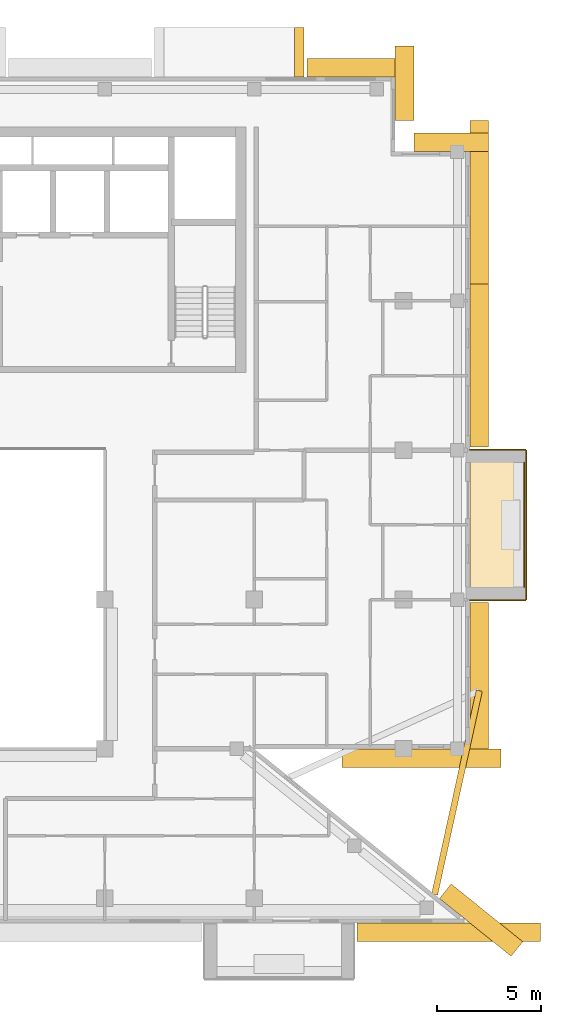
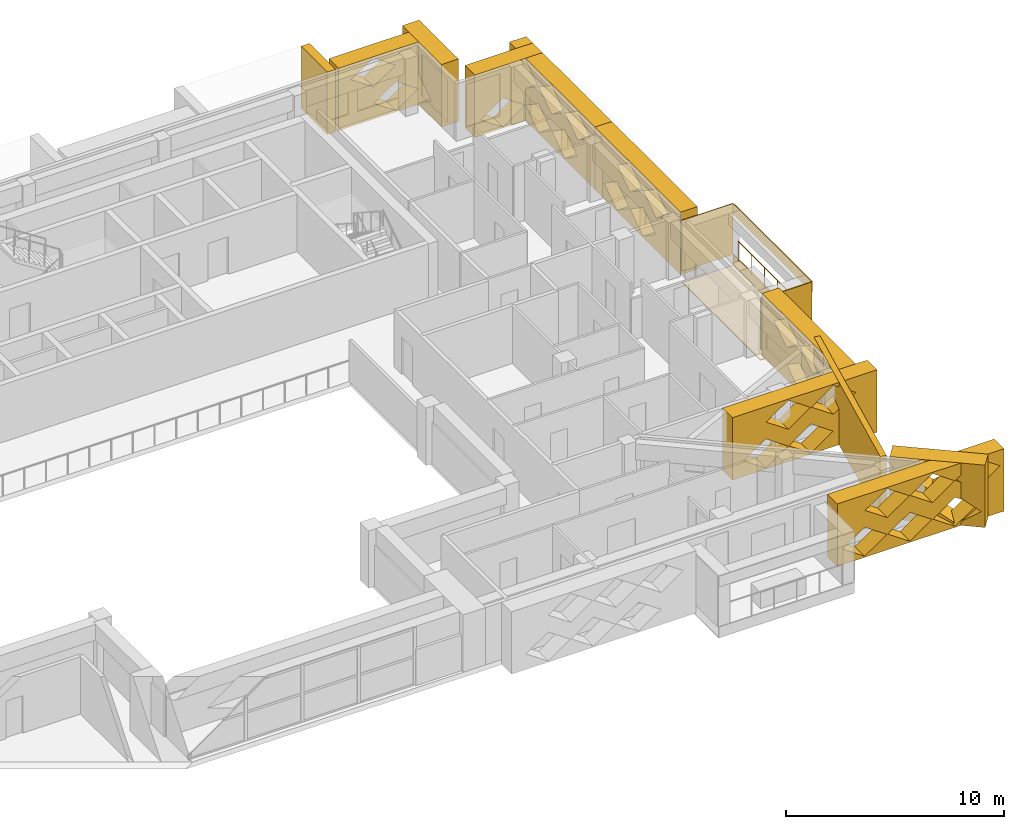
# One storey, part 19 of 19: 16 coverings, 1 railing.
"""IFC4 building model written with IfcOpenShell, lengths in metres."""

from ifc_helpers import new_model, si_unit, direction, frame, origin, origin_2d, place, context, subcontext, project, spatial, polyline, circle, outline, extrude, material, layer, layer_set, type_object, element, save


model = new_model("IFC4")

# Units and contexts
model_context = context("Model", 3, precision=1e-05, world=origin(), true_north=direction((0.0, 1.0)))
body_context = subcontext(model_context, "Body", "Model", "MODEL_VIEW")
ifc_project = project(units=[si_unit("LENGTHUNIT", "METRE"), si_unit("AREAUNIT", "SQUARE_METRE"), si_unit("VOLUMEUNIT", "CUBIC_METRE"), si_unit("PLANEANGLEUNIT", "RADIAN"), si_unit("MASSUNIT", "GRAM", prefix="KILO")], contexts=[model_context])

# Site, building, storey
site_placement = place(None, origin())
site = spatial("IfcSite", under=ifc_project, at=site_placement, CompositionType="ELEMENT")
building_placement = place(site_placement, origin())
building = spatial("IfcBuilding", under=site, at=building_placement, Name="Saffron Iwan Residences", CompositionType="ELEMENT")
storey_placement = place(building_placement, frame((0.0, 0.0, 239.5)))
storey = spatial("IfcBuildingStorey", under=building, at=storey_placement, Name="L64", CompositionType="ELEMENT", Elevation=239.5)

# Railing
ifc_material_1 = material(Name="Stainless steel 316", Category="steel")
railing_type = type_object("IfcRailingType", Name="BALCONY GUARD 1150", PredefinedType="GUARDRAIL", material=ifc_material_1)
railing_placement = place(storey_placement, frame((85.02490234375, 55.800048828125, 0.0)))
element("IfcRailing", 1, at=railing_placement, inside=storey, type_object=railing_type, Name="Balcony guard L64 F2-0", PredefinedType="GUARDRAIL", context=body_context, shape_type="SweptSolid", body=[
    extrude(circle(Radius=0.02392578125, at=origin_2d()), frame((0.0, 0.0, 1.1259765625), z_axis=(0.0, 1.0, 0.0), x_axis=(-1.0, 0.0, 0.0)), (0.0, 0.0, 1.0), 6.0),
    extrude(circle(Radius=0.02099609375, at=origin_2d()), origin(), (0.0, 0.0, 1.0), 1.101806640625),
    extrude(circle(Radius=0.02099609375, at=origin_2d()), frame((0.0, 1.199951171875, 0.0)), (0.0, 0.0, 1.0), 1.101806640625),
    extrude(circle(Radius=0.02099609375, at=origin_2d()), frame((0.0, 2.39990234375, 0.0)), (0.0, 0.0, 1.0), 1.101806640625),
    extrude(circle(Radius=0.02099609375, at=origin_2d()), frame((0.0, 3.60009765625, 0.0)), (0.0, 0.0, 1.0), 1.101806640625),
    extrude(circle(Radius=0.02099609375, at=origin_2d()), frame((0.0, 4.800048828125, 0.0)), (0.0, 0.0, 1.0), 1.101806640625),
    extrude(circle(Radius=0.02099609375, at=origin_2d()), frame((0.0, 6.0, 0.0)), (0.0, 0.0, 1.0), 1.101806640625),
])

# Coverings
ifc_material_2 = material(Name="Precast concrete C40/50 white painted", Category="concrete")
ifc_layer_1 = layer(ifc_material_2, 0.050048828125)
ifc_layer_set_1 = layer_set([ifc_layer_1], Name="Precast concrete C40/50 white painted")
covering_type_1 = type_object("IfcCoveringType", Name="FRAME SKIN PRECAST WHITE 50", PredefinedType="CLADDING", material=ifc_layer_set_1)
for number, where, name in (
    (2, (0.0, 0.0, -0.60009765625), "Frame skin slab edge L64 F2-0"),
    (3, (0.0, 0.0, 2.25), "Frame skin fascia L64 F2-0"),
):
    element("IfcCovering", number, at=place(storey_placement, frame(where)), inside=storey, type_object=covering_type_1, Name=name, PredefinedType="CLADDING", context=body_context, shape_type="SweptSolid", body=[
        extrude(outline(polyline([(85.14990234375, 55.199951171875), (85.14990234375, 62.39990234375), (85.10009765625, 62.39990234375), (85.10009765625, 55.199951171875), (85.14990234375, 55.199951171875)])), origin(), (0.0, 0.0, 1.0), 0.60009765625),
    ])
covering_1_placement = place(storey_placement, frame((0.0, 0.0, -0.64990234375)))
element("IfcCovering", 4, at=covering_1_placement, inside=storey, type_object=covering_type_1, Name="Frame skin soffit L64 F2-0", PredefinedType="CLADDING", context=body_context, shape_type="SweptSolid", body=[
    extrude(outline(polyline([(85.10009765625, 55.199951171875), (85.10009765625, 62.39990234375), (82.39990234375, 62.39990234375), (82.39990234375, 55.199951171875), (85.10009765625, 55.199951171875)])), origin(), (0.0, 0.0, 1.0), 0.0498046875),
])
covering_2_placement = place(storey_placement, origin())
element("IfcCovering", 5, at=covering_2_placement, inside=storey, type_object=covering_type_1, Name="Frame skin fin L64 F2-0a", PredefinedType="CLADDING", context=body_context, shape_type="SweptSolid", body=[
    extrude(outline(polyline([(85.10009765625, 55.14990234375), (85.10009765625, 55.199951171875), (82.39990234375, 55.199951171875), (82.39990234375, 55.14990234375), (85.10009765625, 55.14990234375)])), origin(), (0.0, 0.0, 1.0), 2.85009765625),
])
covering_3_placement = place(storey_placement, origin())
element("IfcCovering", 6, at=covering_3_placement, inside=storey, type_object=covering_type_1, Name="Frame skin fin L64 F2-0b", PredefinedType="CLADDING", context=body_context, shape_type="SweptSolid", body=[
    extrude(outline(polyline([(85.10009765625, 62.39990234375), (85.10009765625, 62.449951171875), (82.39990234375, 62.449951171875), (82.39990234375, 62.39990234375), (85.10009765625, 62.39990234375)])), origin(), (0.0, 0.0, 1.0), 2.85009765625),
])
ifc_material_3 = material(Name="Precast concrete C40/50", Category="concrete")
covering_type_2 = type_object("IfcCoveringType", Name="OUTER SKIN LATTICE SCREEN", PredefinedType="CLADDING", material=ifc_material_3)
covering_4_placement = place(storey_placement, frame((84.387939453125, 37.994384765625, -0.280029296875), z_axis=(0.628558089533, 0.777762642509, 0.0), x_axis=(-0.777762642509, 0.628558089533, 0.0)))
element("IfcCovering", 7, at=covering_4_placement, inside=storey, type_object=covering_type_2, Name="OUTER SKIN lattice screen L64 F0.0", PredefinedType="CLADDING", context=body_context, shape_type="SweptSolid", body=[
    extrude(outline(polyline([(0.0, 0.0), (4.439697265625, 0.0), (4.439697265625, 3.5), (0.0, 3.5), (0.0, 0.0)]), holes=[polyline([(0.175537109375, 0.875), (1.35546875, 0.06005859375), (2.535400390625, 0.875), (1.35546875, 1.68994140625), (0.175537109375, 0.875)]), polyline([(1.37548828125, 2.625), (2.555419921875, 1.81005859375), (3.735595703125, 2.625), (2.555419921875, 3.43994140625), (1.37548828125, 2.625)])]), origin(), (0.0, 0.0, 1.0), 0.89990234375),
])
covering_5_placement = place(storey_placement, frame((76.235595703125, 48.0, -0.280029296875), z_axis=(0.0, -1.0, 0.0), x_axis=(1.0, 0.0, 0.0)))
element("IfcCovering", 8, at=covering_5_placement, inside=storey, type_object=covering_type_2, Name="OUTER SKIN lattice screen L64 F1.0", PredefinedType="CLADDING", context=body_context, shape_type="SweptSolid", body=[
    extrude(outline(polyline([(0.0, 0.0), (7.66455078125, 0.0), (7.66455078125, 3.5), (0.0, 3.5), (0.0, 0.0)]), holes=[polyline([(0.58447265625, 0.875), (1.764404296875, 0.06005859375), (2.944580078125, 0.875), (1.764404296875, 1.68994140625), (0.58447265625, 0.875)]), polyline([(2.984619140625, 0.875), (4.16455078125, 0.06005859375), (5.344482421875, 0.875), (4.16455078125, 1.68994140625), (2.984619140625, 0.875)]), polyline([(1.784423828125, 2.625), (2.964599609375, 1.81005859375), (4.14453125, 2.625), (2.964599609375, 3.43994140625), (1.784423828125, 2.625)]), polyline([(4.1845703125, 2.625), (5.364501953125, 1.81005859375), (6.54443359375, 2.625), (5.364501953125, 3.43994140625), (4.1845703125, 2.625)])]), origin(), (0.0, 0.0, 1.0), 0.89990234375),
])
covering_6_placement = place(storey_placement, frame((82.39990234375, 47.10009765625, -0.280029296875), z_axis=(1.0, 0.0, 0.0), x_axis=(0.0, 1.0, 0.0)))
element("IfcCovering", 9, at=covering_6_placement, inside=storey, type_object=covering_type_2, Name="OUTER SKIN lattice screen L64 F2.0", PredefinedType="CLADDING", context=body_context, shape_type="SweptSolid", body=[
    extrude(outline(polyline([(0.0, 0.0), (7.949951171875, 0.0), (7.949951171875, 3.5), (0.0, 3.5), (0.0, 0.0)]), holes=[polyline([(0.919921875, 0.875), (2.10009765625, 0.06005859375), (3.280029296875, 0.875), (2.10009765625, 1.68994140625), (0.919921875, 0.875)]), polyline([(3.320068359375, 0.875), (4.5, 0.06005859375), (5.679931640625, 0.875), (4.5, 1.68994140625), (3.320068359375, 0.875)]), polyline([(2.1201171875, 2.625), (3.300048828125, 1.81005859375), (4.47998046875, 2.625), (3.300048828125, 3.43994140625), (2.1201171875, 2.625)]), polyline([(4.52001953125, 2.625), (5.699951171875, 1.81005859375), (6.8798828125, 2.625), (5.699951171875, 3.43994140625), (4.52001953125, 2.625)])]), origin(), (0.0, 0.0, 1.0), 0.900146484375),
])
covering_7_placement = place(storey_placement, frame((82.39990234375, 62.550048828125, -0.280029296875), z_axis=(1.0, 0.0, 0.0), x_axis=(0.0, 1.0, 0.0)))
element("IfcCovering", 10, at=covering_7_placement, inside=storey, type_object=covering_type_2, Name="OUTER SKIN lattice screen L64 F2.1", PredefinedType="CLADDING", context=body_context, shape_type="SweptSolid", body=[
    extrude(outline(polyline([(0.0, 0.0), (7.875, 0.0), (7.875, 3.5), (0.0, 3.5), (0.0, 0.0)]), holes=[polyline([(2.27001953125, 0.875), (3.449951171875, 0.06005859375), (4.6298828125, 0.875), (3.449951171875, 1.68994140625), (2.27001953125, 0.875)]), polyline([(4.669921875, 0.875), (5.85009765625, 0.06005859375), (7.030029296875, 0.875), (5.85009765625, 1.68994140625), (4.669921875, 0.875)]), polyline([(1.070068359375, 2.625), (2.25, 1.81005859375), (3.429931640625, 2.625), (2.25, 3.43994140625), (1.070068359375, 2.625)]), polyline([(3.469970703125, 2.625), (4.64990234375, 1.81005859375), (5.830078125, 2.625), (4.64990234375, 3.43994140625), (3.469970703125, 2.625)])]), origin(), (0.0, 0.0, 1.0), 0.900146484375),
])
covering_8_placement = place(storey_placement, frame((82.39990234375, 70.425048828125, -0.280029296875), z_axis=(1.0, 0.0, 0.0), x_axis=(0.0, 1.0, 0.0)))
element("IfcCovering", 11, at=covering_8_placement, inside=storey, type_object=covering_type_2, Name="OUTER SKIN lattice screen L64 F2.2", PredefinedType="CLADDING", context=body_context, shape_type="SweptSolid", body=[
    extrude(outline(polyline([(0.0, 0.0), (7.875, 0.0), (7.875, 3.5), (0.0, 3.5), (0.0, 0.0)]), holes=[polyline([(1.594970703125, 0.875), (2.77490234375, 0.06005859375), (3.955078125, 0.875), (2.77490234375, 1.68994140625), (1.594970703125, 0.875)]), polyline([(3.9951171875, 0.875), (5.175048828125, 0.06005859375), (6.35498046875, 0.875), (5.175048828125, 1.68994140625), (3.9951171875, 0.875)]), polyline([(0.39501953125, 2.625), (1.574951171875, 1.81005859375), (2.7548828125, 2.625), (1.574951171875, 3.43994140625), (0.39501953125, 2.625)]), polyline([(2.794921875, 2.625), (3.97509765625, 1.81005859375), (5.155029296875, 2.625), (3.97509765625, 3.43994140625), (2.794921875, 2.625)]), polyline([(5.195068359375, 2.625), (6.375, 1.81005859375), (7.554931640625, 2.625), (6.375, 3.43994140625), (5.195068359375, 2.625)])]), origin(), (0.0, 0.0, 1.0), 0.900146484375),
])
for number, where, z_axis, x_axis, name in (
    (12, (83.300048828125, 76.800048828125, -0.280029296875), (0.0, 1.0, 0.0), (-1.0, 0.0, 0.0), "OUTER SKIN lattice screen L64 F3.0"),
    (13, (78.800048828125, 78.300048828125, -0.280029296875), (1.0, 0.0, 0.0), (0.0, 1.0, 0.0), "OUTER SKIN lattice screen L64 F4.0"),
):
    element("IfcCovering", number, at=place(storey_placement, frame(where, z_axis=z_axis, x_axis=x_axis)), inside=storey, type_object=covering_type_2, Name=name, PredefinedType="CLADDING", context=body_context, shape_type="SweptSolid", body=[
        extrude(outline(polyline([(0.0, 0.0), (3.60009765625, 0.0), (3.60009765625, 3.5), (0.0, 3.5), (0.0, 0.0)]), holes=[polyline([(0.919921875, 0.875), (2.10009765625, 0.06005859375), (3.280029296875, 0.875), (2.10009765625, 1.68994140625), (0.919921875, 0.875)])]), origin(), (0.0, 0.0, 1.0), 0.89990234375),
    ])
covering_9_placement = place(storey_placement, frame((79.699951171875, 80.39990234375, -0.280029296875), z_axis=(0.0, 1.0, 0.0), x_axis=(-1.0, 0.0, 0.0)))
element("IfcCovering", 14, at=covering_9_placement, inside=storey, type_object=covering_type_2, Name="OUTER SKIN lattice screen L64 F5.0", PredefinedType="CLADDING", context=body_context, shape_type="SweptSolid", body=[
    extrude(outline(polyline([(0.0, 0.0), (5.14990234375, 0.0), (5.14990234375, 3.5), (0.0, 3.5), (0.0, 0.0)]), holes=[polyline([(0.919921875, 0.875), (2.10009765625, 0.06005859375), (3.280029296875, 0.875), (2.10009765625, 1.68994140625), (0.919921875, 0.875)]), polyline([(2.1201171875, 2.625), (3.300048828125, 1.81005859375), (4.47998046875, 2.625), (3.300048828125, 3.43994140625), (2.1201171875, 2.625)])]), origin(), (0.0, 0.0, 1.0), 0.900146484375),
])
covering_10_placement = place(storey_placement, frame((76.949951171875, 39.60009765625, -0.280029296875), z_axis=(0.0, -1.0, 0.0), x_axis=(1.0, 0.0, 0.0)))
element("IfcCovering", 15, at=covering_10_placement, inside=storey, type_object=covering_type_2, Name="OUTER SKIN lattice screen L64 F11.3", PredefinedType="CLADDING", context=body_context, shape_type="SweptSolid", body=[
    extrude(outline(polyline([(0.0, 0.0), (8.845458984375, 0.0), (8.845458984375, 3.5), (0.0, 3.5), (0.0, 0.0)]), holes=[polyline([(0.27001953125, 0.875), (1.449951171875, 0.06005859375), (2.6298828125, 0.875), (1.449951171875, 1.68994140625), (0.27001953125, 0.875)]), polyline([(2.669921875, 0.875), (3.85009765625, 0.06005859375), (5.030029296875, 0.875), (3.85009765625, 1.68994140625), (2.669921875, 0.875)]), polyline([(5.070068359375, 0.875), (6.25, 0.06005859375), (7.429931640625, 0.875), (6.25, 1.68994140625), (5.070068359375, 0.875)]), polyline([(1.469970703125, 2.625), (2.64990234375, 1.81005859375), (3.830078125, 2.625), (2.64990234375, 3.43994140625), (1.469970703125, 2.625)]), polyline([(3.8701171875, 2.625), (5.050048828125, 1.81005859375), (6.22998046875, 2.625), (5.050048828125, 3.43994140625), (3.8701171875, 2.625)]), polyline([(6.27001953125, 2.625), (7.449951171875, 1.81005859375), (8.6298828125, 2.625), (7.449951171875, 3.43994140625), (6.27001953125, 2.625)])]), origin(), (0.0, 0.0, 1.0), 0.900146484375),
])
ifc_layer_2 = layer(ifc_material_2, 0.300048828125)
ifc_layer_set_2 = layer_set([ifc_layer_2], Name="Precast concrete C40/50 white painted")
covering_type_3 = type_object("IfcCoveringType", Name="PROW NOSE BLADE PRECAST WHITE", PredefinedType="CLADDING", material=ifc_layer_set_2)
covering_11_placement = place(storey_placement, frame((0.0, 0.0, -0.280029296875)))
element("IfcCovering", 16, at=covering_11_placement, inside=storey, type_object=covering_type_3, Name="Prow nose blade L64 a", PredefinedType="CLADDING", context=body_context, shape_type="SweptSolid", body=[
    extrude(outline(polyline([(80.847412109375, 40.9404296875), (83.001708984375, 50.769287109375), (82.70849609375, 50.83349609375), (80.55419921875, 41.004638671875), (80.847412109375, 40.9404296875)])), origin(), (0.0, 0.0, 1.0), 3.5),
])
covering_type_4 = type_object("IfcCoveringType", Name="WHITE SUN FRAME PRECAST", PredefinedType="CLADDING", material=ifc_material_2)
covering_12_placement = place(storey_placement, frame((74.39990234375, 80.39990234375, -0.280029296875), z_axis=(0.0, 1.0, 0.0), x_axis=(-1.0, 0.0, 0.0)))
element("IfcCovering", 17, at=covering_12_placement, inside=storey, type_object=covering_type_4, Name="Sun frame L64 F5 4.4a", PredefinedType="CLADDING", context=body_context, shape_type="SweptSolid", body=[
    extrude(outline(polyline([(0.0, 0.0), (0.449951171875, 0.0), (0.449951171875, 3.5), (0.0, 3.5), (0.0, 0.0)])), origin(), (0.0, 0.0, 1.0), 2.400146484375),
])

save(model, "model.ifc")
